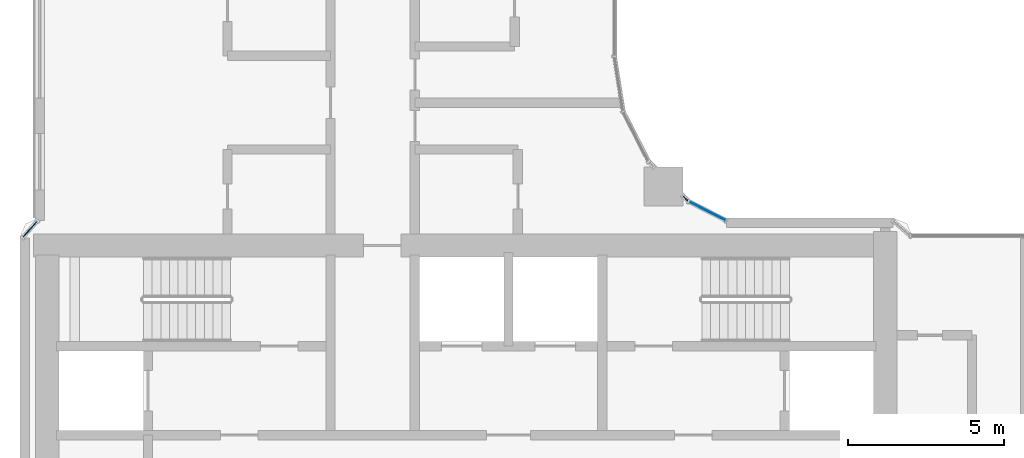
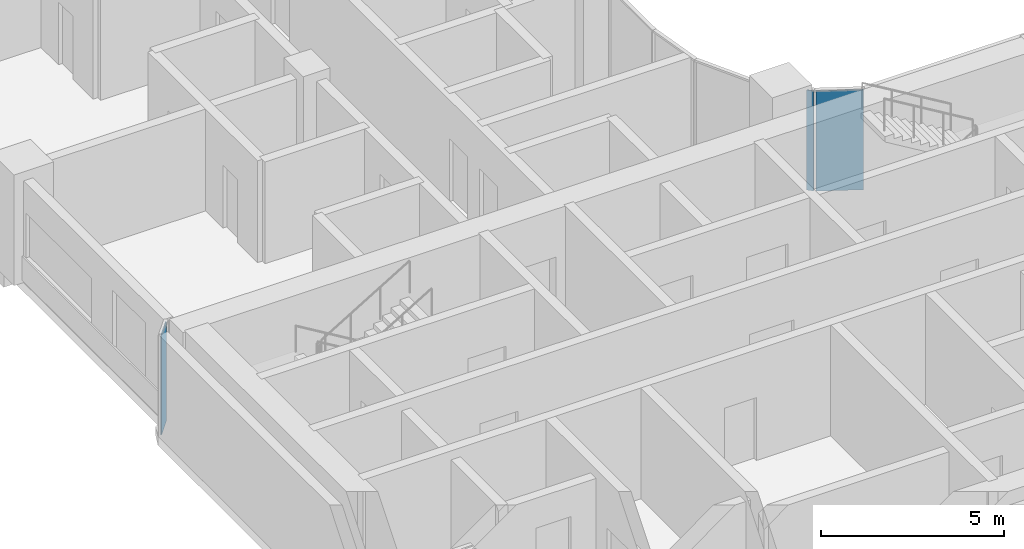
# One storey, part 12 of 33: 3 plates, 2 elements without a shape of their own.
"""IFC4 building model written with IfcOpenShell, lengths in metres."""

import ifcopenshell
import ifcopenshell.guid

model = None  # the IFC model being written
_history = None  # IfcOwnerHistory: only IFC2X3 demands one
_inside = {}  # id of a spatial element -> (the spatial element, [elements in it])
_under = {}  # id of a project, library or spatial element -> (it, [spatial elements below it])
_declared = {}  # id of a project -> (the project, [libraries it declares])
_typed = {}  # id of a type object -> (the type object, [elements of that type])
_made_of = {}  # id of a material, layer set ... -> (it, [elements and type objects made of it])


def new_model(schema):
    """Start an empty IFC model of exactly this schema.

    Asked for "IFC4X3", IfcOpenShell would pick the latest addendum, in which some entities
    have other attributes; the version numbers below select the first issue.
    IFC2X3 requires an IfcOwnerHistory on every rooted entity: one is made here for all.
    """
    global model, _history
    if schema == "IFC4X3":
        model = ifcopenshell.file(schema_version=(4, 3, 0, 0))
    else:
        model = ifcopenshell.file(schema=schema)
    _inside.clear()
    _under.clear()
    _declared.clear()
    _typed.clear()
    _made_of.clear()
    _history = None
    if model.schema == "IFC2X3":
        org = make("IfcOrganization", Name="unknown")
        user = make(
            "IfcPersonAndOrganization",
            ThePerson=make("IfcPerson", FamilyName="unknown"),
            TheOrganization=org,
        )
        app = make(
            "IfcApplication",
            ApplicationDeveloper=org,
            Version="unknown",
            ApplicationFullName="unknown",
            ApplicationIdentifier="unknown",
        )
        _history = make(
            "IfcOwnerHistory",
            OwningUser=user,
            OwningApplication=app,
            ChangeAction="ADDED",
            CreationDate=0,
        )
    return model


def make(cls, **values):
    """One entity of the class cls with the attributes given. An attribute that is None is left unset."""
    return model.create_entity(
        cls, **{name: value for name, value in values.items() if value is not None}
    )


def rooted(cls, **values):
    """An entity with a GlobalId (a new one), such as an element, a storey or a relation."""
    return make(cls, GlobalId=ifcopenshell.guid.new(), OwnerHistory=_history, **values)


def si_unit(unit_type, name, prefix=None):
    """IfcSIUnit, for example si_unit("LENGTHUNIT", "METRE", prefix="MILLI")."""
    return make("IfcSIUnit", UnitType=unit_type, Prefix=prefix, Name=name)


def assignment(units):
    """IfcUnitAssignment: the units of a project."""
    return None if units is None else make("IfcUnitAssignment", Units=units)


def point(xyz):
    """IfcCartesianPoint."""
    return None if xyz is None else make("IfcCartesianPoint", Coordinates=xyz)


def direction(xyz):
    """IfcDirection."""
    return None if xyz is None else make("IfcDirection", DirectionRatios=xyz)


def frame(location, z_axis=None, x_axis=None):
    """IfcAxis2Placement3D, a coordinate frame: its origin and axes. An axis left out is left unset."""
    return make(
        "IfcAxis2Placement3D",
        Location=point(location),
        Axis=direction(z_axis),
        RefDirection=direction(x_axis),
    )


def frame_2d(location, x_axis=None):
    """IfcAxis2Placement2D, a coordinate frame in the plane: its origin and x axis."""
    return make(
        "IfcAxis2Placement2D", Location=point(location), RefDirection=direction(x_axis)
    )


def origin():
    """The frame at (0, 0, 0) with its axes left unset."""
    return frame((0.0, 0.0, 0.0))


def origin_2d():
    """The frame at (0, 0) in the plane with its x axis left unset."""
    return frame_2d((0.0, 0.0))


def place(relative_to, where):
    """IfcLocalPlacement: puts the frame where relative to a parent placement (None: the world)."""
    return make(
        "IfcLocalPlacement", PlacementRelTo=relative_to, RelativePlacement=where
    )


def context(
    kind, dimensions, precision=None, world=None, true_north=None, identifier=None
):
    """IfcGeometricRepresentationContext, for example the 3D "Model" context."""
    return make(
        "IfcGeometricRepresentationContext",
        ContextIdentifier=identifier,
        ContextType=kind,
        CoordinateSpaceDimension=dimensions,
        Precision=precision,
        WorldCoordinateSystem=world,
        TrueNorth=true_north,
    )


def subcontext(parent, identifier, kind, view, scale=None):
    """IfcGeometricRepresentationSubContext, for example "Body" below "Model"."""
    return make(
        "IfcGeometricRepresentationSubContext",
        ContextIdentifier=identifier,
        ContextType=kind,
        ParentContext=parent,
        TargetScale=scale,
        TargetView=view,
    )


def project(units=None, contexts=None):
    """IfcProject with its units and contexts."""
    return rooted(
        "IfcProject",
        Name="project",
        RepresentationContexts=contexts,
        UnitsInContext=assignment(units),
    )


def spatial(cls, under=None, at=None, **own):
    """A site, building, storey or space (cls), placed at a placement, below another one or the project."""
    s = rooted(cls, ObjectPlacement=at, **own)
    if under is not None:
        _under.setdefault(under.id(), (under, []))[1].append(s)
    return s


def profile(cls, at=None, kind="AREA", **sizes):
    """A parametric profile (cls). Its sizes go by their IFC names, for example OverallWidth=200.0."""
    return make(cls, ProfileType=kind, Position=at, **sizes)


def rectangle(**sizes):
    """IfcRectangleProfileDef."""
    return profile("IfcRectangleProfileDef", **sizes)


def extrude(swept, where, along, depth):
    """IfcExtrudedAreaSolid: the profile swept, set in the frame where, extruded along a direction by depth."""
    return make(
        "IfcExtrudedAreaSolid",
        SweptArea=swept,
        Position=where,
        ExtrudedDirection=direction(along),
        Depth=depth,
    )


def shape(context_of_items, identifier, shape_type, items):
    """IfcShapeRepresentation: the items that make up one representation, for example the "Body"."""
    return make(
        "IfcShapeRepresentation",
        ContextOfItems=context_of_items,
        RepresentationIdentifier=identifier,
        RepresentationType=shape_type,
        Items=items,
    )


def material(Name=None, Category=None):
    """IfcMaterial."""
    return make("IfcMaterial", Name=Name, Category=Category)


def layer(
    of_material, thickness, ventilated=None, Name=None, Category=None, Priority=None
):
    """IfcMaterialLayer: one layer of a wall or slab, of a material (None: an air gap)."""
    return make(
        "IfcMaterialLayer",
        Material=of_material,
        LayerThickness=thickness,
        IsVentilated=ventilated,
        Name=Name,
        Category=Category,
        Priority=Priority,
    )


def layer_set(layers, Name=None):
    """IfcMaterialLayerSet."""
    return make("IfcMaterialLayerSet", MaterialLayers=layers, LayerSetName=Name)


def made_of(thing, what):
    """Note that an element or type object is made of a material, layer set ...; save() writes the relation."""
    if what is not None:
        _made_of.setdefault(what.id(), (what, []))[1].append(thing)
    return thing


def type_object(cls, material=None, **own):
    """A type object (cls), such as IfcWallType, which elements share."""
    return made_of(rooted(cls, **own), material)


def element(
    cls,
    number,
    at=None,
    inside=None,
    cuts=None,
    type_object=None,
    material=None,
    context=None,
    identifier="Body",
    shape_type=None,
    held_by="IfcProductDefinitionShape",
    body=None,
    shapes=None,
    **own,
):
    """One element of the class cls, such as IfcWall. Its Tag is "e" and its number.

    at: its placement. inside: the storey or other place that contains it. cuts: it is an
    opening in that element (IfcRelVoidsElement). A single representation is given by context,
    identifier, shape_type and body (its items); several are given by shapes. held_by: the class
    of the entity that holds the representations. save() writes the other relations.
    """
    e = rooted(cls, Tag="e%d" % number, ObjectPlacement=at, **own)
    if body is not None:
        shapes = [shape(context, identifier, shape_type, body)]
    if shapes is not None:
        e.Representation = make(held_by, Representations=shapes)
    if inside is not None:
        _inside.setdefault(inside.id(), (inside, []))[1].append(e)
    if cuts is not None:
        rooted(
            "IfcRelVoidsElement", RelatingBuildingElement=cuts, RelatedOpeningElement=e
        )
    if type_object is not None:
        _typed.setdefault(type_object.id(), (type_object, []))[1].append(e)
    return made_of(e, material)


def aggregate(whole, parts):
    """IfcRelAggregates: a whole, such as a stair, and the parts it consists of."""
    return rooted("IfcRelAggregates", RelatingObject=whole, RelatedObjects=parts)


def save(model, path):
    """Write the relations noted so far, then the file.

    IfcRelAggregates (storeys below a building ...), IfcRelContainedInSpatialStructure (elements
    in a storey), IfcRelDefinesByType, IfcRelAssociatesMaterial and IfcRelDeclares: one each for
    every whole, place, type object, material and project.
    """
    for whole, parts in _under.values():
        aggregate(whole, parts)
    for where, things in _inside.values():
        rooted(
            "IfcRelContainedInSpatialStructure",
            RelatedElements=things,
            RelatingStructure=where,
        )
    for kind, things in _typed.values():
        rooted("IfcRelDefinesByType", RelatedObjects=things, RelatingType=kind)
    for what, things in _made_of.values():
        rooted("IfcRelAssociatesMaterial", RelatedObjects=things, RelatingMaterial=what)
    for by, libraries in _declared.values():
        rooted("IfcRelDeclares", RelatingContext=by, RelatedDefinitions=libraries)
    model.write(path)


model = new_model("IFC4")

# Units and contexts
model_context = context("Model", 3, precision=1e-05, world=origin(), true_north=direction((0.0, 1.0)))
body_context = subcontext(model_context, "Body", "Model", "MODEL_VIEW")
ifc_project = project(units=[si_unit("LENGTHUNIT", "METRE"), si_unit("AREAUNIT", "SQUARE_METRE"), si_unit("VOLUMEUNIT", "CUBIC_METRE"), si_unit("PLANEANGLEUNIT", "RADIAN"), si_unit("MASSUNIT", "GRAM", prefix="KILO")], contexts=[model_context])

# Site, building, storey
site_placement = place(None, origin())
site = spatial("IfcSite", under=ifc_project, at=site_placement, CompositionType="ELEMENT")
building_placement = place(site_placement, origin())
building = spatial("IfcBuilding", under=site, at=building_placement, Name="Ogive Portal Towers", CompositionType="ELEMENT")
storey_placement = place(building_placement, frame((0.0, 0.0, 101.89990234375)))
storey = spatial("IfcBuildingStorey", under=building, at=storey_placement, Name="L24", CompositionType="ELEMENT", Elevation=101.89990234375)

# Curtain wall, plates
ifc_material = material(Name="Glass, clear low-iron insulated glazing", Category="glass")
curtain_wall_type = type_object("IfcCurtainWallType", Name="CW FRONT RIBBON 4500", PredefinedType="NOTDEFINED", material=ifc_material)
curtain_wall_1_placement = place(storey_placement, origin())
curtain_wall_1 = element("IfcCurtainWall", 1, at=curtain_wall_1_placement, inside=storey, type_object=curtain_wall_type, Name="A:L24:f02:cwa~0", PredefinedType="NOTDEFINED")
ifc_layer = layer(ifc_material, 0.028076171875)
ifc_layer_set = layer_set([ifc_layer], Name="CW PANEL IGU 28")
plate_type = type_object("IfcPlateType", Name="CW PANEL IGU 28", PredefinedType="CURTAIN_PANEL", material=ifc_layer_set)
plate_1_placement = place(storey_placement, frame((52.721435546875, 40.529541015625, 0.0), z_axis=(0.0, 0.0, 1.0), x_axis=(-0.891006524188, 0.45399049974, 0.0)))
plate_1 = element("IfcPlate", 2, at=plate_1_placement, type_object=plate_type, Name="panel", PredefinedType="CURTAIN_PANEL", context=body_context, shape_type="SweptSolid", body=[
    extrude(rectangle(XDim=1.303955078125, YDim=0.028076171875, at=origin_2d()), origin(), (0.0, 0.0, 1.0), 3.340087890625),
])
plate_2_placement = place(storey_placement, frame((52.0244140625, 40.9287109375, 0.0), z_axis=(0.0, 0.0, 1.0), x_axis=(-0.707106781187, 0.707106781187, 0.0)))
plate_2 = element("IfcPlate", 3, at=plate_2_placement, type_object=plate_type, Name="panel", PredefinedType="CURTAIN_PANEL", context=body_context, shape_type="SweptSolid", body=[
    extrude(rectangle(XDim=0.19287109375, YDim=0.028076171875, at=origin_2d()), origin(), (0.0, 0.0, 1.0), 3.340087890625),
])
aggregate(curtain_wall_1, [plate_1, plate_2])

# Curtain wall, plate
curtain_wall_2_placement = place(storey_placement, origin())
curtain_wall_2 = element("IfcCurtainWall", 4, at=curtain_wall_2_placement, inside=storey, type_object=curtain_wall_type, Name="A:L24:f13:cwa", PredefinedType="NOTDEFINED")
plate_3_placement = place(storey_placement, frame((31.02001953125, 39.945068359375, 0.0), z_axis=(0.0, 0.0, 1.0), x_axis=(-0.657334513087, -0.753598923768, 0.0)))
plate_3 = element("IfcPlate", 5, at=plate_3_placement, type_object=plate_type, Name="panel", PredefinedType="CURTAIN_PANEL", context=body_context, shape_type="SweptSolid", body=[
    extrude(rectangle(XDim=0.670166015625, YDim=0.028076171875, at=origin_2d()), origin(), (0.0, 0.0, 1.0), 3.340087890625),
])
aggregate(curtain_wall_2, [plate_3])

save(model, "model.ifc")
